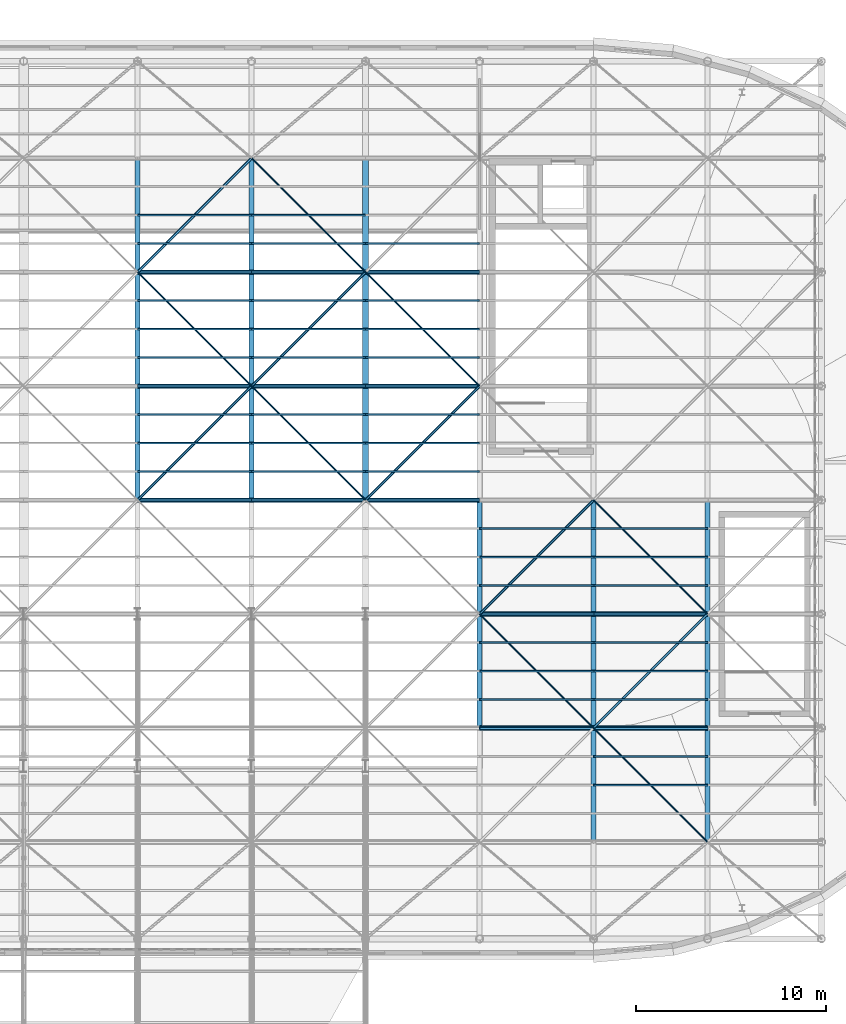
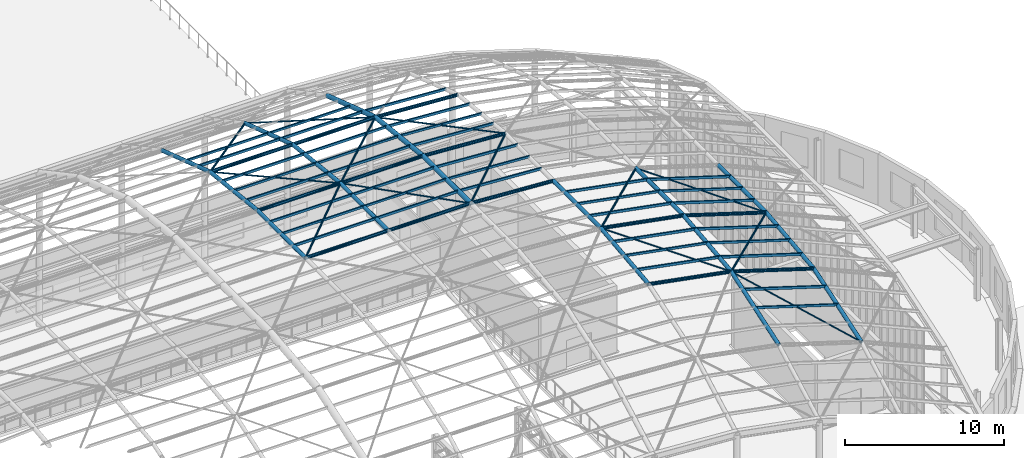
# One storey, part 33 of 75: 80 members.
"""IFC4 building model written with IfcOpenShell, lengths in metres."""

from ifc_helpers import new_model, si_unit, direction, frame, origin, origin_2d, place, context, subcontext, project, spatial, hollow_rectangle, hollow_circle, extrude, material, material_profile, profile_set, type_object, element, save


model = new_model("IFC4")

# Units and contexts
model_context = context("Model", 3, precision=1e-05, world=origin(), true_north=direction((0.0, 1.0)))
body_context = subcontext(model_context, "Body", "Model", "MODEL_VIEW")
ifc_project = project(units=[si_unit("LENGTHUNIT", "METRE"), si_unit("AREAUNIT", "SQUARE_METRE"), si_unit("VOLUMEUNIT", "CUBIC_METRE"), si_unit("PLANEANGLEUNIT", "RADIAN"), si_unit("MASSUNIT", "GRAM", prefix="KILO")], contexts=[model_context])

# Site, building, storey
site_placement = place(None, origin())
site = spatial("IfcSite", under=ifc_project, at=site_placement, CompositionType="ELEMENT")
building_placement = place(site_placement, origin())
building = spatial("IfcBuilding", under=site, at=building_placement, Name="Kolvaren Corner Interchange", CompositionType="ELEMENT")
storey_placement = place(building_placement, frame((0.0, 0.0, 10.5)))
storey = spatial("IfcBuildingStorey", under=building, at=storey_placement, Name="L03", CompositionType="ELEMENT", Elevation=10.5)

# Members
ifc_material_1 = material(Name="Steel S355", Category="steel")
ifc_material_profile_1 = material_profile(ifc_material_1, hollow_circle(Radius=0.05078125, WallThickness=0.00634765625, at=origin_2d()), Name="CHS 101.6x6.3")
ifc_profile_set_1 = profile_set([ifc_material_profile_1], Name="Steel S355")
member_type_1 = type_object("IfcMemberType", Name="MEM-BR-CHS102", PredefinedType="BRACE", material=ifc_profile_set_1)
member_1_placement = place(storey_placement, frame((96.0, 60.0, 16.4130859375), z_axis=(0.704932292788, -0.704932292788, 0.078364055334), x_axis=(0.707106781187, 0.707106781187, 0.0)))
element("IfcMember", 1, at=member_1_placement, inside=storey, type_object=member_type_1, Name="Concourse Translational Gridshell Nodal Diagonal Brace 0070", PredefinedType="BRACE", context=body_context, shape_type="SweptSolid", body=[
    extrude(hollow_circle(Radius=0.05078125, WallThickness=0.00634765625, at=origin_2d()), origin(), (0.0, 0.0, 1.0), 8.511474609375),
])
member_2_placement = place(storey_placement, frame((102.0, 54.0, 17.080078125), z_axis=(0.707106781187, -0.707106781187, 0.0), x_axis=(0.707106781187, 0.707106781187, 0.0)))
element("IfcMember", 2, at=member_2_placement, inside=storey, type_object=member_type_1, Name="Concourse Translational Gridshell Nodal Diagonal Brace 0077", PredefinedType="BRACE", context=body_context, shape_type="SweptSolid", body=[
    extrude(hollow_circle(Radius=0.05078125, WallThickness=0.00634765625, at=origin_2d()), origin(), (0.0, 0.0, 1.0), 8.4853515625),
])
member_3_placement = place(storey_placement, frame((102.0, 66.0, 14.4130859375), z_axis=(0.688247201612, -0.688247201612, 0.229415733871), x_axis=(0.707106781187, 0.707106781187, 0.0)))
element("IfcMember", 3, at=member_3_placement, inside=storey, type_object=member_type_1, Name="Concourse Translational Gridshell Nodal Diagonal Brace 0079", PredefinedType="BRACE", context=body_context, shape_type="SweptSolid", body=[
    extrude(hollow_circle(Radius=0.05078125, WallThickness=0.00634765625, at=origin_2d()), origin(), (0.0, 0.0, 1.0), 8.7177734375),
])
member_4_placement = place(storey_placement, frame((108.0, 60.0, 16.4130859375), z_axis=(0.706688489265, -0.706688489265, 0.034391252977), x_axis=(0.707106781187, 0.707106781187, 0.0)))
element("IfcMember", 4, at=member_4_placement, inside=storey, type_object=member_type_1, Name="Concourse Translational Gridshell Nodal Diagonal Brace 0086", PredefinedType="BRACE", context=body_context, shape_type="SweptSolid", body=[
    extrude(hollow_circle(Radius=0.05078125, WallThickness=0.00634765625, at=origin_2d()), origin(), (0.0, 0.0, 1.0), 8.490234375),
])
member_5_placement = place(storey_placement, frame((114.0, 42.0, 16.705078125), z_axis=(0.69184672185, -0.69184672185, -0.206630653417), x_axis=(0.707106781187, 0.707106781187, 0.0)))
element("IfcMember", 5, at=member_5_placement, inside=storey, type_object=member_type_1, Name="Concourse Translational Gridshell Nodal Diagonal Brace 0091", PredefinedType="BRACE", context=body_context, shape_type="SweptSolid", body=[
    extrude(hollow_circle(Radius=0.05078125, WallThickness=0.00634765625, at=origin_2d()), origin(), (0.0, 0.0, 1.0), 8.67236328125),
])
member_6_placement = place(storey_placement, frame((120.0, 36.0, 14.9130859375), z_axis=(0.643209763998, -0.643209763998, -0.415406305916), x_axis=(0.707106781187, 0.707106781187, 0.0)))
element("IfcMember", 6, at=member_6_placement, inside=storey, type_object=member_type_1, Name="Concourse Translational Gridshell Nodal Diagonal Brace 0098", PredefinedType="BRACE", context=body_context, shape_type="SweptSolid", body=[
    extrude(hollow_circle(Radius=0.05078125, WallThickness=0.00634765625, at=origin_2d()), origin(), (0.0, 0.0, 1.0), 9.328125),
])
member_7_placement = place(storey_placement, frame((120.0, 48.0, 15.580078125), z_axis=(0.690450963203, -0.690450963203, -0.215765926001), x_axis=(0.707106781187, 0.707106781187, 0.0)))
element("IfcMember", 7, at=member_7_placement, inside=storey, type_object=member_type_1, Name="Concourse Translational Gridshell Nodal Diagonal Brace 0100", PredefinedType="BRACE", context=body_context, shape_type="SweptSolid", body=[
    extrude(hollow_circle(Radius=0.05078125, WallThickness=0.00634765625, at=origin_2d()), origin(), (0.0, 0.0, 1.0), 8.68994140625),
])
ifc_material_2 = material(Name="Steel S355", Category="steel")
ifc_material_profile_2 = material_profile(ifc_material_2, hollow_circle(Radius=0.06982421875, WallThickness=0.008056640625, at=origin_2d()), Name="CHS 139.7x8.0")
ifc_profile_set_2 = profile_set([ifc_material_profile_2], Name="Steel S355")
member_type_2 = type_object("IfcMemberType", Name="MEM-BR-CHS140", PredefinedType="BRACE", material=ifc_profile_set_2)
member_8_placement = place(storey_placement, frame((96.0, 48.0, 17.080078125), z_axis=(0.707106781187, 0.707106781187, 0.0), x_axis=(-0.707106781187, 0.707106781187, 0.0)))
element("IfcMember", 8, at=member_8_placement, inside=storey, type_object=member_type_2, Name="Concourse Translational Gridshell Nodal Diagonal Brace 0069", PredefinedType="BRACE", context=body_context, shape_type="SweptSolid", body=[
    extrude(hollow_circle(Radius=0.06982421875, WallThickness=0.008056640625, at=origin_2d()), origin(), (0.0, 0.0, 1.0), 8.4853515625),
])
member_9_placement = place(storey_placement, frame((96.0, 60.0, 16.4130859375), z_axis=(0.688247201612, 0.688247201612, -0.229415733871), x_axis=(-0.707106781187, 0.707106781187, 0.0)))
element("IfcMember", 9, at=member_9_placement, inside=storey, type_object=member_type_2, Name="Concourse Translational Gridshell Nodal Diagonal Brace 0071", PredefinedType="BRACE", context=body_context, shape_type="SweptSolid", body=[
    extrude(hollow_circle(Radius=0.06982421875, WallThickness=0.008056640625, at=origin_2d()), origin(), (0.0, 0.0, 1.0), 8.7177734375),
])
member_10_placement = place(storey_placement, frame((102.0, 54.0, 17.080078125), z_axis=(0.704932292788, 0.704932292788, -0.078364055334), x_axis=(-0.707106781187, 0.707106781187, 0.0)))
element("IfcMember", 10, at=member_10_placement, inside=storey, type_object=member_type_2, Name="Concourse Translational Gridshell Nodal Diagonal Brace 0078", PredefinedType="BRACE", context=body_context, shape_type="SweptSolid", body=[
    extrude(hollow_circle(Radius=0.06982421875, WallThickness=0.008056640625, at=origin_2d()), origin(), (0.0, 0.0, 1.0), 8.511474609375),
])
member_11_placement = place(storey_placement, frame((108.0, 48.0, 17.080078125), z_axis=(0.706417257101, 0.706417257101, -0.044151078569), x_axis=(-0.707106781187, 0.707106781187, 0.0)))
element("IfcMember", 11, at=member_11_placement, inside=storey, type_object=member_type_2, Name="Concourse Translational Gridshell Nodal Diagonal Brace 0085", PredefinedType="BRACE", context=body_context, shape_type="SweptSolid", body=[
    extrude(hollow_circle(Radius=0.06982421875, WallThickness=0.008056640625, at=origin_2d()), origin(), (0.0, 0.0, 1.0), 8.49365234375),
])
member_12_placement = place(storey_placement, frame((114.0, 42.0, 16.705078125), z_axis=(0.700972726941, 0.700972726941, -0.131432386301), x_axis=(-0.707106781187, 0.707106781187, 0.0)))
element("IfcMember", 12, at=member_12_placement, inside=storey, type_object=member_type_2, Name="Concourse Translational Gridshell Nodal Diagonal Brace 0092", PredefinedType="BRACE", context=body_context, shape_type="SweptSolid", body=[
    extrude(hollow_circle(Radius=0.06982421875, WallThickness=0.008056640625, at=origin_2d()), origin(), (0.0, 0.0, 1.0), 8.5595703125),
])
member_13_placement = place(storey_placement, frame((120.0, 36.0, 14.9130859375), z_axis=(0.700048143492, 0.700048143492, -0.140943937744), x_axis=(-0.707106781187, 0.707106781187, 0.0)))
element("IfcMember", 13, at=member_13_placement, inside=storey, type_object=member_type_2, Name="Concourse Translational Gridshell Nodal Diagonal Brace 0099", PredefinedType="BRACE", context=body_context, shape_type="SweptSolid", body=[
    extrude(hollow_circle(Radius=0.06982421875, WallThickness=0.008056640625, at=origin_2d()), origin(), (0.0, 0.0, 1.0), 8.57080078125),
])
ifc_material_3 = material(Name="Steel S355", Category="steel")
ifc_material_profile_3 = material_profile(ifc_material_3, hollow_circle(Radius=0.122314453125, WallThickness=0.012451171875, at=origin_2d()), Name="CHS 244.5x12.5")
ifc_profile_set_3 = profile_set([ifc_material_profile_3], Name="Steel S355")
member_type_3 = type_object("IfcMemberType", Name="MEM-CH-CHS245", PredefinedType="CHORD", material=ifc_profile_set_3)
member_14_placement = place(storey_placement, frame((114.0, 36.0, 16.0380859375), z_axis=(0.982872186934, 0.0, -0.18428853505), x_axis=(0.0, 1.0, 0.0)))
element("IfcMember", 14, at=member_14_placement, inside=storey, type_object=member_type_3, Name="Concourse Translational Gridshell Longitudinal Arch Chord 0130", PredefinedType="CHORD", context=body_context, shape_type="SweptSolid", body=[
    extrude(hollow_circle(Radius=0.122314453125, WallThickness=0.012451171875, at=origin_2d()), origin(), (0.0, 0.0, 1.0), 6.1044921875),
])
member_15_placement = place(storey_placement, frame((120.0, 36.0, 14.9130859375), z_axis=(0.954479978035, 0.0, -0.298274993136), x_axis=(0.0, 1.0, 0.0)))
element("IfcMember", 15, at=member_15_placement, inside=storey, type_object=member_type_3, Name="Concourse Translational Gridshell Longitudinal Arch Chord 0131", PredefinedType="CHORD", context=body_context, shape_type="SweptSolid", body=[
    extrude(hollow_circle(Radius=0.122314453125, WallThickness=0.012451171875, at=origin_2d()), origin(), (0.0, 0.0, 1.0), 6.2861328125),
])
member_16_placement = place(storey_placement, frame((114.0, 42.0, 16.705078125), z_axis=(0.982872186934, 0.0, -0.18428853505), x_axis=(0.0, 1.0, 0.0)))
element("IfcMember", 16, at=member_16_placement, inside=storey, type_object=member_type_3, Name="Concourse Translational Gridshell Longitudinal Arch Chord 0144", PredefinedType="CHORD", context=body_context, shape_type="SweptSolid", body=[
    extrude(hollow_circle(Radius=0.122314453125, WallThickness=0.012451171875, at=origin_2d()), origin(), (0.0, 0.0, 1.0), 6.1044921875),
])
member_17_placement = place(storey_placement, frame((120.0, 42.0, 15.580078125), z_axis=(0.954479978035, 0.0, -0.298274993136), x_axis=(0.0, 1.0, 0.0)))
element("IfcMember", 17, at=member_17_placement, inside=storey, type_object=member_type_3, Name="Concourse Translational Gridshell Longitudinal Arch Chord 0145", PredefinedType="CHORD", context=body_context, shape_type="SweptSolid", body=[
    extrude(hollow_circle(Radius=0.122314453125, WallThickness=0.012451171875, at=origin_2d()), origin(), (0.0, 0.0, 1.0), 6.2861328125),
])
for number, where, z_axis, x_axis, name in (
    (18, (96.0, 48.0, 17.080078125), (1.0, 0.0, 0.0), (0.0, 1.0, 0.0), "Concourse Translational Gridshell Longitudinal Arch Chord 0155"),
    (19, (102.0, 48.0, 17.080078125), (1.0, 0.0, 0.0), (0.0, 1.0, 0.0), "Concourse Translational Gridshell Longitudinal Arch Chord 0156"),
):
    element("IfcMember", number, at=place(storey_placement, frame(where, z_axis=z_axis, x_axis=x_axis)), inside=storey, type_object=member_type_3, Name=name, PredefinedType="CHORD", context=body_context, shape_type="SweptSolid", body=[
        extrude(hollow_circle(Radius=0.122314453125, WallThickness=0.012451171875, at=origin_2d()), origin(), (0.0, 0.0, 1.0), 6.0),
    ])
member_18_placement = place(storey_placement, frame((108.0, 48.0, 17.080078125), z_axis=(0.998052578483, 0.0, -0.062378286155), x_axis=(0.0, 1.0, 0.0)))
element("IfcMember", 20, at=member_18_placement, inside=storey, type_object=member_type_3, Name="Concourse Translational Gridshell Longitudinal Arch Chord 0157", PredefinedType="CHORD", context=body_context, shape_type="SweptSolid", body=[
    extrude(hollow_circle(Radius=0.122314453125, WallThickness=0.012451171875, at=origin_2d()), origin(), (0.0, 0.0, 1.0), 6.01171875),
])
for number, where, z_axis, x_axis, name in (
    (21, (96.0, 54.0, 17.080078125), (1.0, 0.0, 0.0), (0.0, 1.0, 0.0), "Concourse Translational Gridshell Longitudinal Arch Chord 0169"),
    (22, (102.0, 54.0, 17.080078125), (1.0, 0.0, 0.0), (0.0, 1.0, 0.0), "Concourse Translational Gridshell Longitudinal Arch Chord 0170"),
):
    element("IfcMember", number, at=place(storey_placement, frame(where, z_axis=z_axis, x_axis=x_axis)), inside=storey, type_object=member_type_3, Name=name, PredefinedType="CHORD", context=body_context, shape_type="SweptSolid", body=[
        extrude(hollow_circle(Radius=0.122314453125, WallThickness=0.012451171875, at=origin_2d()), origin(), (0.0, 0.0, 1.0), 6.0),
    ])
member_19_placement = place(storey_placement, frame((108.0, 54.0, 17.080078125), z_axis=(0.998052578483, 0.0, -0.062378286155), x_axis=(0.0, 1.0, 0.0)))
element("IfcMember", 23, at=member_19_placement, inside=storey, type_object=member_type_3, Name="Concourse Translational Gridshell Longitudinal Arch Chord 0171", PredefinedType="CHORD", context=body_context, shape_type="SweptSolid", body=[
    extrude(hollow_circle(Radius=0.122314453125, WallThickness=0.012451171875, at=origin_2d()), origin(), (0.0, 0.0, 1.0), 6.01171875),
])
for number, where, z_axis, x_axis, name in (
    (24, (96.0, 60.0, 16.4130859375), (1.0, 0.0, 0.0), (0.0, 1.0, 0.0), "Concourse Translational Gridshell Longitudinal Arch Chord 0183"),
    (25, (102.0, 60.0, 16.4130859375), (1.0, 0.0, 0.0), (0.0, 1.0, 0.0), "Concourse Translational Gridshell Longitudinal Arch Chord 0184"),
):
    element("IfcMember", number, at=place(storey_placement, frame(where, z_axis=z_axis, x_axis=x_axis)), inside=storey, type_object=member_type_3, Name=name, PredefinedType="CHORD", context=body_context, shape_type="SweptSolid", body=[
        extrude(hollow_circle(Radius=0.122314453125, WallThickness=0.012451171875, at=origin_2d()), origin(), (0.0, 0.0, 1.0), 6.0),
    ])
member_20_placement = place(storey_placement, frame((108.0, 60.0, 16.4130859375), z_axis=(0.998052578483, 0.0, -0.062378286155), x_axis=(0.0, 1.0, 0.0)))
element("IfcMember", 26, at=member_20_placement, inside=storey, type_object=member_type_3, Name="Concourse Translational Gridshell Longitudinal Arch Chord 0185", PredefinedType="CHORD", context=body_context, shape_type="SweptSolid", body=[
    extrude(hollow_circle(Radius=0.122314453125, WallThickness=0.012451171875, at=origin_2d()), origin(), (0.0, 0.0, 1.0), 6.01171875),
])
ifc_material_4 = material(Name="Steel S355", Category="steel")
ifc_material_profile_4 = material_profile(ifc_material_4, hollow_circle(Radius=0.136474609375, WallThickness=0.012451171875, at=origin_2d()), Name="CHS 273.0x12.5")
ifc_profile_set_4 = profile_set([ifc_material_profile_4], Name="Steel S355")
member_type_4 = type_object("IfcMemberType", Name="MEM-CH-CHS273", PredefinedType="CHORD", material=ifc_profile_set_4)
member_21_placement = place(storey_placement, frame((96.0, 48.0, 17.080078125), z_axis=(0.0, 1.0, 0.0), x_axis=(-1.0, 0.0, 0.0)))
element("IfcMember", 27, at=member_21_placement, inside=storey, type_object=member_type_4, Name="Concourse Translational Gridshell Transverse Arch Chord 0061", PredefinedType="CHORD", context=body_context, shape_type="SweptSolid", body=[
    extrude(hollow_circle(Radius=0.136474609375, WallThickness=0.012451171875, at=origin_2d()), origin(), (0.0, 0.0, 1.0), 6.0),
])
member_22_placement = place(storey_placement, frame((96.0, 54.0, 17.080078125), z_axis=(0.0, 0.993877815052, -0.110484789662), x_axis=(-1.0, 0.0, 0.0)))
element("IfcMember", 28, at=member_22_placement, inside=storey, type_object=member_type_4, Name="Concourse Translational Gridshell Transverse Arch Chord 0062", PredefinedType="CHORD", context=body_context, shape_type="SweptSolid", body=[
    extrude(hollow_circle(Radius=0.136474609375, WallThickness=0.012451171875, at=origin_2d()), origin(), (0.0, 0.0, 1.0), 6.036865234375),
])
member_23_placement = place(storey_placement, frame((96.0, 60.0, 16.4130859375), z_axis=(0.0, 0.948683298051, -0.316227766017), x_axis=(-1.0, 0.0, 0.0)))
element("IfcMember", 29, at=member_23_placement, inside=storey, type_object=member_type_4, Name="Concourse Translational Gridshell Transverse Arch Chord 0063", PredefinedType="CHORD", context=body_context, shape_type="SweptSolid", body=[
    extrude(hollow_circle(Radius=0.136474609375, WallThickness=0.012451171875, at=origin_2d()), origin(), (0.0, 0.0, 1.0), 6.324462890625),
])
member_24_placement = place(storey_placement, frame((102.0, 48.0, 17.080078125), z_axis=(0.0, 1.0, 0.0), x_axis=(-1.0, 0.0, 0.0)))
element("IfcMember", 30, at=member_24_placement, inside=storey, type_object=member_type_4, Name="Concourse Translational Gridshell Transverse Arch Chord 0069", PredefinedType="CHORD", context=body_context, shape_type="SweptSolid", body=[
    extrude(hollow_circle(Radius=0.136474609375, WallThickness=0.012451171875, at=origin_2d()), origin(), (0.0, 0.0, 1.0), 6.0),
])
member_25_placement = place(storey_placement, frame((102.0, 54.0, 17.080078125), z_axis=(0.0, 0.993877815052, -0.110484789662), x_axis=(-1.0, 0.0, 0.0)))
element("IfcMember", 31, at=member_25_placement, inside=storey, type_object=member_type_4, Name="Concourse Translational Gridshell Transverse Arch Chord 0070", PredefinedType="CHORD", context=body_context, shape_type="SweptSolid", body=[
    extrude(hollow_circle(Radius=0.136474609375, WallThickness=0.012451171875, at=origin_2d()), origin(), (0.0, 0.0, 1.0), 6.036865234375),
])
member_26_placement = place(storey_placement, frame((102.0, 60.0, 16.4130859375), z_axis=(0.0, 0.948683298051, -0.316227766017), x_axis=(-1.0, 0.0, 0.0)))
element("IfcMember", 32, at=member_26_placement, inside=storey, type_object=member_type_4, Name="Concourse Translational Gridshell Transverse Arch Chord 0071", PredefinedType="CHORD", context=body_context, shape_type="SweptSolid", body=[
    extrude(hollow_circle(Radius=0.136474609375, WallThickness=0.012451171875, at=origin_2d()), origin(), (0.0, 0.0, 1.0), 6.324462890625),
])
member_27_placement = place(storey_placement, frame((114.0, 36.0, 16.0380859375), z_axis=(0.0, 0.993877815052, 0.110484789662), x_axis=(-1.0, 0.0, 0.0)))
element("IfcMember", 33, at=member_27_placement, inside=storey, type_object=member_type_4, Name="Concourse Translational Gridshell Transverse Arch Chord 0083", PredefinedType="CHORD", context=body_context, shape_type="SweptSolid", body=[
    extrude(hollow_circle(Radius=0.136474609375, WallThickness=0.012451171875, at=origin_2d()), origin(), (0.0, 0.0, 1.0), 6.036865234375),
])
member_28_placement = place(storey_placement, frame((114.0, 42.0, 16.705078125), z_axis=(0.0, 1.0, 0.0), x_axis=(-1.0, 0.0, 0.0)))
element("IfcMember", 34, at=member_28_placement, inside=storey, type_object=member_type_4, Name="Concourse Translational Gridshell Transverse Arch Chord 0084", PredefinedType="CHORD", context=body_context, shape_type="SweptSolid", body=[
    extrude(hollow_circle(Radius=0.136474609375, WallThickness=0.012451171875, at=origin_2d()), origin(), (0.0, 0.0, 1.0), 6.0),
])
member_29_placement = place(storey_placement, frame((120.0, 30.0, 12.9130859375), z_axis=(0.0, 0.948683298051, 0.316227766017), x_axis=(-1.0, 0.0, 0.0)))
element("IfcMember", 35, at=member_29_placement, inside=storey, type_object=member_type_4, Name="Concourse Translational Gridshell Transverse Arch Chord 0090", PredefinedType="CHORD", context=body_context, shape_type="SweptSolid", body=[
    extrude(hollow_circle(Radius=0.136474609375, WallThickness=0.012451171875, at=origin_2d()), origin(), (0.0, 0.0, 1.0), 6.324462890625),
])
member_30_placement = place(storey_placement, frame((120.0, 36.0, 14.9130859375), z_axis=(0.0, 0.993877815052, 0.110484789662), x_axis=(-1.0, 0.0, 0.0)))
element("IfcMember", 36, at=member_30_placement, inside=storey, type_object=member_type_4, Name="Concourse Translational Gridshell Transverse Arch Chord 0091", PredefinedType="CHORD", context=body_context, shape_type="SweptSolid", body=[
    extrude(hollow_circle(Radius=0.136474609375, WallThickness=0.012451171875, at=origin_2d()), origin(), (0.0, 0.0, 1.0), 6.036865234375),
])
member_31_placement = place(storey_placement, frame((120.0, 42.0, 15.580078125), z_axis=(0.0, 1.0, 0.0), x_axis=(-1.0, 0.0, 0.0)))
element("IfcMember", 37, at=member_31_placement, inside=storey, type_object=member_type_4, Name="Concourse Translational Gridshell Transverse Arch Chord 0092", PredefinedType="CHORD", context=body_context, shape_type="SweptSolid", body=[
    extrude(hollow_circle(Radius=0.136474609375, WallThickness=0.012451171875, at=origin_2d()), origin(), (0.0, 0.0, 1.0), 6.0),
])
member_32_placement = place(storey_placement, frame((126.0, 30.0, 11.0380859375), z_axis=(0.0, 0.948683298051, 0.316227766017), x_axis=(-1.0, 0.0, 0.0)))
element("IfcMember", 38, at=member_32_placement, inside=storey, type_object=member_type_4, Name="Concourse Translational Gridshell Transverse Arch Chord 0098", PredefinedType="CHORD", context=body_context, shape_type="SweptSolid", body=[
    extrude(hollow_circle(Radius=0.136474609375, WallThickness=0.012451171875, at=origin_2d()), origin(), (0.0, 0.0, 1.0), 6.324462890625),
])
member_33_placement = place(storey_placement, frame((126.0, 36.0, 13.0380859375), z_axis=(0.0, 0.993877815052, 0.110484789662), x_axis=(-1.0, 0.0, 0.0)))
element("IfcMember", 39, at=member_33_placement, inside=storey, type_object=member_type_4, Name="Concourse Translational Gridshell Transverse Arch Chord 0099", PredefinedType="CHORD", context=body_context, shape_type="SweptSolid", body=[
    extrude(hollow_circle(Radius=0.136474609375, WallThickness=0.012451171875, at=origin_2d()), origin(), (0.0, 0.0, 1.0), 6.036865234375),
])
member_34_placement = place(storey_placement, frame((126.0, 42.0, 13.705078125), z_axis=(0.0, 1.0, 0.0), x_axis=(-1.0, 0.0, 0.0)))
element("IfcMember", 40, at=member_34_placement, inside=storey, type_object=member_type_4, Name="Concourse Translational Gridshell Transverse Arch Chord 0100", PredefinedType="CHORD", context=body_context, shape_type="SweptSolid", body=[
    extrude(hollow_circle(Radius=0.136474609375, WallThickness=0.012451171875, at=origin_2d()), origin(), (0.0, 0.0, 1.0), 6.0),
])
ifc_material_5 = material(Name="Steel S355", Category="steel")
ifc_material_profile_5 = material_profile(ifc_material_5, hollow_circle(Radius=0.161865234375, WallThickness=0.012451171875, at=origin_2d()), Name="CHS 323.9x12.5")
ifc_profile_set_5 = profile_set([ifc_material_profile_5], Name="Steel S355")
member_type_5 = type_object("IfcMemberType", Name="MEM-CH-CHS324", PredefinedType="CHORD", material=ifc_profile_set_5)
member_35_placement = place(storey_placement, frame((108.0, 48.0, 17.080078125), z_axis=(0.0, 1.0, 0.0), x_axis=(-1.0, 0.0, 0.0)))
element("IfcMember", 41, at=member_35_placement, inside=storey, type_object=member_type_5, Name="Concourse Translational Gridshell Transverse Arch Chord 0077", PredefinedType="CHORD", context=body_context, shape_type="SweptSolid", body=[
    extrude(hollow_circle(Radius=0.161865234375, WallThickness=0.012451171875, at=origin_2d()), origin(), (0.0, 0.0, 1.0), 6.0),
])
member_36_placement = place(storey_placement, frame((108.0, 54.0, 17.080078125), z_axis=(0.0, 0.993877815052, -0.110484789662), x_axis=(-1.0, 0.0, 0.0)))
element("IfcMember", 42, at=member_36_placement, inside=storey, type_object=member_type_5, Name="Concourse Translational Gridshell Transverse Arch Chord 0078", PredefinedType="CHORD", context=body_context, shape_type="SweptSolid", body=[
    extrude(hollow_circle(Radius=0.161865234375, WallThickness=0.012451171875, at=origin_2d()), origin(), (0.0, 0.0, 1.0), 6.036865234375),
])
member_37_placement = place(storey_placement, frame((108.0, 60.0, 16.4130859375), z_axis=(0.0, 0.948683298051, -0.316227766017), x_axis=(-1.0, 0.0, 0.0)))
element("IfcMember", 43, at=member_37_placement, inside=storey, type_object=member_type_5, Name="Concourse Translational Gridshell Transverse Arch Chord 0079", PredefinedType="CHORD", context=body_context, shape_type="SweptSolid", body=[
    extrude(hollow_circle(Radius=0.161865234375, WallThickness=0.012451171875, at=origin_2d()), origin(), (0.0, 0.0, 1.0), 6.324462890625),
])
ifc_material_6 = material(Name="Steel S355", Category="steel")
ifc_material_profile_6 = material_profile(ifc_material_6, hollow_rectangle(XDim=0.10009765625, YDim=0.179931640625, WallThickness=0.008056640625, InnerFilletRadius=0.008056640625, OuterFilletRadius=0.01611328125, at=origin_2d()), Name="RHS 180x100x8.0")
ifc_profile_set_6 = profile_set([ifc_material_profile_6], Name="Steel S355")
member_type_6 = type_object("IfcMemberType", Name="MEM-PR-RHS180", PredefinedType="PURLIN", material=ifc_profile_set_6)
for number, where, z_axis, x_axis, name in (
    (44, (96.0, 51.0, 17.1279296875), (1.0, 0.0, 0.0), (0.0, 1.0, 0.0), "Concourse Translational Gridshell Glazing Purlin 0069 Row 2"),
    (45, (96.0, 57.0, 16.79443359375), (1.0, 0.0, 0.0), (0.0, 1.0, 0.0), "Concourse Translational Gridshell Glazing Purlin 0070 Row 2"),
    (46, (96.0, 63.0, 15.4609375), (1.0, 0.0, 0.0), (0.0, 1.0, 0.0), "Concourse Translational Gridshell Glazing Purlin 0071 Row 2"),
    (47, (102.0, 51.0, 17.1279296875), (1.0, 0.0, 0.0), (0.0, 1.0, 0.0), "Concourse Translational Gridshell Glazing Purlin 0077 Row 2"),
    (48, (102.0, 57.0, 16.79443359375), (1.0, 0.0, 0.0), (0.0, 1.0, 0.0), "Concourse Translational Gridshell Glazing Purlin 0078 Row 2"),
    (49, (102.0, 63.0, 15.4609375), (1.0, 0.0, 0.0), (0.0, 1.0, 0.0), "Concourse Translational Gridshell Glazing Purlin 0079 Row 2"),
):
    element("IfcMember", number, at=place(storey_placement, frame(where, z_axis=z_axis, x_axis=x_axis)), inside=storey, type_object=member_type_6, Name=name, PredefinedType="PURLIN", context=body_context, shape_type="SweptSolid", body=[
        extrude(hollow_rectangle(XDim=0.10009765625, YDim=0.179931640625, WallThickness=0.008056640625, InnerFilletRadius=0.008056640625, OuterFilletRadius=0.01611328125, at=origin_2d()), origin(), (0.0, 0.0, 1.0), 6.0),
    ])
for number, where, z_axis, x_axis, name in (
    (50, (108.0, 51.0, 17.1279296875), (0.998052578483, 0.0, -0.062378286155), (0.0, 1.0, 0.0), "Concourse Translational Gridshell Glazing Purlin 0085 Row 2"),
    (51, (108.0, 57.0, 16.79443359375), (0.998052578483, 0.0, -0.062378286155), (0.0, 1.0, 0.0), "Concourse Translational Gridshell Glazing Purlin 0086 Row 2"),
):
    element("IfcMember", number, at=place(storey_placement, frame(where, z_axis=z_axis, x_axis=x_axis)), inside=storey, type_object=member_type_6, Name=name, PredefinedType="PURLIN", context=body_context, shape_type="SweptSolid", body=[
        extrude(hollow_rectangle(XDim=0.10009765625, YDim=0.179931640625, WallThickness=0.008056640625, InnerFilletRadius=0.008056640625, OuterFilletRadius=0.01611328125, at=origin_2d()), origin(), (0.0, 0.0, 1.0), 6.01171875),
    ])
for number, where, z_axis, x_axis, name in (
    (52, (114.0, 39.0, 16.41943359375), (0.982872186934, 0.0, -0.18428853505), (0.0, 1.0, 0.0), "Concourse Translational Gridshell Glazing Purlin 0091 Row 2"),
    (53, (114.0, 45.0, 16.7529296875), (0.982872186934, 0.0, -0.18428853505), (0.0, 1.0, 0.0), "Concourse Translational Gridshell Glazing Purlin 0092 Row 2"),
):
    element("IfcMember", number, at=place(storey_placement, frame(where, z_axis=z_axis, x_axis=x_axis)), inside=storey, type_object=member_type_6, Name=name, PredefinedType="PURLIN", context=body_context, shape_type="SweptSolid", body=[
        extrude(hollow_rectangle(XDim=0.10009765625, YDim=0.179931640625, WallThickness=0.008056640625, InnerFilletRadius=0.008056640625, OuterFilletRadius=0.01611328125, at=origin_2d()), origin(), (0.0, 0.0, 1.0), 6.1044921875),
    ])
for number, where, z_axis, x_axis, name in (
    (54, (120.0, 33.0, 13.9609375), (0.954479978035, 0.0, -0.298274993136), (0.0, 1.0, 0.0), "Concourse Translational Gridshell Glazing Purlin 0098 Row 2"),
    (55, (120.0, 39.0, 15.29443359375), (0.954479978035, 0.0, -0.298274993136), (0.0, 1.0, 0.0), "Concourse Translational Gridshell Glazing Purlin 0099 Row 2"),
    (56, (120.0, 45.0, 15.6279296875), (0.954479978035, 0.0, -0.298274993136), (0.0, 1.0, 0.0), "Concourse Translational Gridshell Glazing Purlin 0100 Row 2"),
):
    element("IfcMember", number, at=place(storey_placement, frame(where, z_axis=z_axis, x_axis=x_axis)), inside=storey, type_object=member_type_6, Name=name, PredefinedType="PURLIN", context=body_context, shape_type="SweptSolid", body=[
        extrude(hollow_rectangle(XDim=0.10009765625, YDim=0.179931640625, WallThickness=0.008056640625, InnerFilletRadius=0.008056640625, OuterFilletRadius=0.01611328125, at=origin_2d()), origin(), (0.0, 0.0, 1.0), 6.2861328125),
    ])
ifc_material_7 = material(Name="Steel S355", Category="steel")
ifc_material_profile_7 = material_profile(ifc_material_7, hollow_rectangle(XDim=0.10009765625, YDim=0.199951171875, WallThickness=0.008056640625, InnerFilletRadius=0.008056640625, OuterFilletRadius=0.01611328125, at=origin_2d()), Name="RHS 200x100x8.0")
ifc_profile_set_7 = profile_set([ifc_material_profile_7], Name="Steel S355")
member_type_7 = type_object("IfcMemberType", Name="MEM-PR-RHS200", PredefinedType="PURLIN", material=ifc_profile_set_7)
for number, where, z_axis, x_axis, name in (
    (57, (96.0, 49.5, 17.117919921875), (1.0, 0.0, 0.0), (0.0, 1.0, 0.0), "Concourse Translational Gridshell Glazing Purlin 0069 Row 1"),
    (58, (96.0, 52.5, 17.117919921875), (1.0, 0.0, 0.0), (0.0, 1.0, 0.0), "Concourse Translational Gridshell Glazing Purlin 0069 Row 3"),
    (59, (96.0, 55.5, 16.951171875), (1.0, 0.0, 0.0), (0.0, 1.0, 0.0), "Concourse Translational Gridshell Glazing Purlin 0070 Row 1"),
    (60, (96.0, 58.5, 16.61767578125), (1.0, 0.0, 0.0), (0.0, 1.0, 0.0), "Concourse Translational Gridshell Glazing Purlin 0070 Row 3"),
    (61, (96.0, 61.5, 15.950927734375), (1.0, 0.0, 0.0), (0.0, 1.0, 0.0), "Concourse Translational Gridshell Glazing Purlin 0071 Row 1"),
    (62, (102.0, 49.5, 17.117919921875), (1.0, 0.0, 0.0), (0.0, 1.0, 0.0), "Concourse Translational Gridshell Glazing Purlin 0077 Row 1"),
    (63, (102.0, 52.5, 17.117919921875), (1.0, 0.0, 0.0), (0.0, 1.0, 0.0), "Concourse Translational Gridshell Glazing Purlin 0077 Row 3"),
    (64, (102.0, 55.5, 16.951171875), (1.0, 0.0, 0.0), (0.0, 1.0, 0.0), "Concourse Translational Gridshell Glazing Purlin 0078 Row 1"),
    (65, (102.0, 58.5, 16.61767578125), (1.0, 0.0, 0.0), (0.0, 1.0, 0.0), "Concourse Translational Gridshell Glazing Purlin 0078 Row 3"),
    (66, (102.0, 61.5, 15.950927734375), (1.0, 0.0, 0.0), (0.0, 1.0, 0.0), "Concourse Translational Gridshell Glazing Purlin 0079 Row 1"),
):
    element("IfcMember", number, at=place(storey_placement, frame(where, z_axis=z_axis, x_axis=x_axis)), inside=storey, type_object=member_type_7, Name=name, PredefinedType="PURLIN", context=body_context, shape_type="SweptSolid", body=[
        extrude(hollow_rectangle(XDim=0.10009765625, YDim=0.199951171875, WallThickness=0.008056640625, InnerFilletRadius=0.008056640625, OuterFilletRadius=0.01611328125, at=origin_2d()), origin(), (0.0, 0.0, 1.0), 6.0),
    ])
for number, where, z_axis, x_axis, name in (
    (67, (108.0, 49.5, 17.117919921875), (0.998052578483, 0.0, -0.062378286155), (0.0, 1.0, 0.0), "Concourse Translational Gridshell Glazing Purlin 0085 Row 1"),
    (68, (108.0, 52.5, 17.117919921875), (0.998052578483, 0.0, -0.062378286155), (0.0, 1.0, 0.0), "Concourse Translational Gridshell Glazing Purlin 0085 Row 3"),
    (69, (108.0, 55.5, 16.951171875), (0.998052578483, 0.0, -0.062378286155), (0.0, 1.0, 0.0), "Concourse Translational Gridshell Glazing Purlin 0086 Row 1"),
    (70, (108.0, 58.5, 16.61767578125), (0.998052578483, 0.0, -0.062378286155), (0.0, 1.0, 0.0), "Concourse Translational Gridshell Glazing Purlin 0086 Row 3"),
    (71, (108.0, 61.5, 15.950927734375), (0.998052578483, 0.0, -0.062378286155), (0.0, 1.0, 0.0), "Concourse Translational Gridshell Glazing Purlin 0087 Row 1"),
):
    element("IfcMember", number, at=place(storey_placement, frame(where, z_axis=z_axis, x_axis=x_axis)), inside=storey, type_object=member_type_7, Name=name, PredefinedType="PURLIN", context=body_context, shape_type="SweptSolid", body=[
        extrude(hollow_rectangle(XDim=0.10009765625, YDim=0.199951171875, WallThickness=0.008056640625, InnerFilletRadius=0.008056640625, OuterFilletRadius=0.01611328125, at=origin_2d()), origin(), (0.0, 0.0, 1.0), 6.01171875),
    ])
for number, where, z_axis, x_axis, name in (
    (72, (114.0, 37.5, 16.24267578125), (0.982872186934, 0.0, -0.18428853505), (0.0, 1.0, 0.0), "Concourse Translational Gridshell Glazing Purlin 0091 Row 1"),
    (73, (114.0, 40.5, 16.576171875), (0.982872186934, 0.0, -0.18428853505), (0.0, 1.0, 0.0), "Concourse Translational Gridshell Glazing Purlin 0091 Row 3"),
    (74, (114.0, 43.5, 16.742919921875), (0.982872186934, 0.0, -0.18428853505), (0.0, 1.0, 0.0), "Concourse Translational Gridshell Glazing Purlin 0092 Row 1"),
    (75, (114.0, 46.5, 16.742919921875), (0.982872186934, 0.0, -0.18428853505), (0.0, 1.0, 0.0), "Concourse Translational Gridshell Glazing Purlin 0092 Row 3"),
):
    element("IfcMember", number, at=place(storey_placement, frame(where, z_axis=z_axis, x_axis=x_axis)), inside=storey, type_object=member_type_7, Name=name, PredefinedType="PURLIN", context=body_context, shape_type="SweptSolid", body=[
        extrude(hollow_rectangle(XDim=0.10009765625, YDim=0.199951171875, WallThickness=0.008056640625, InnerFilletRadius=0.008056640625, OuterFilletRadius=0.01611328125, at=origin_2d()), origin(), (0.0, 0.0, 1.0), 6.1044921875),
    ])
for number, where, z_axis, x_axis, name in (
    (76, (120.0, 34.5, 14.450927734375), (0.954479978035, 0.0, -0.298274993136), (0.0, 1.0, 0.0), "Concourse Translational Gridshell Glazing Purlin 0098 Row 3"),
    (77, (120.0, 37.5, 15.11767578125), (0.954479978035, 0.0, -0.298274993136), (0.0, 1.0, 0.0), "Concourse Translational Gridshell Glazing Purlin 0099 Row 1"),
    (78, (120.0, 40.5, 15.451171875), (0.954479978035, 0.0, -0.298274993136), (0.0, 1.0, 0.0), "Concourse Translational Gridshell Glazing Purlin 0099 Row 3"),
    (79, (120.0, 43.5, 15.617919921875), (0.954479978035, 0.0, -0.298274993136), (0.0, 1.0, 0.0), "Concourse Translational Gridshell Glazing Purlin 0100 Row 1"),
    (80, (120.0, 46.5, 15.617919921875), (0.954479978035, 0.0, -0.298274993136), (0.0, 1.0, 0.0), "Concourse Translational Gridshell Glazing Purlin 0100 Row 3"),
):
    element("IfcMember", number, at=place(storey_placement, frame(where, z_axis=z_axis, x_axis=x_axis)), inside=storey, type_object=member_type_7, Name=name, PredefinedType="PURLIN", context=body_context, shape_type="SweptSolid", body=[
        extrude(hollow_rectangle(XDim=0.10009765625, YDim=0.199951171875, WallThickness=0.008056640625, InnerFilletRadius=0.008056640625, OuterFilletRadius=0.01611328125, at=origin_2d()), origin(), (0.0, 0.0, 1.0), 6.2861328125),
    ])

save(model, "model.ifc")
